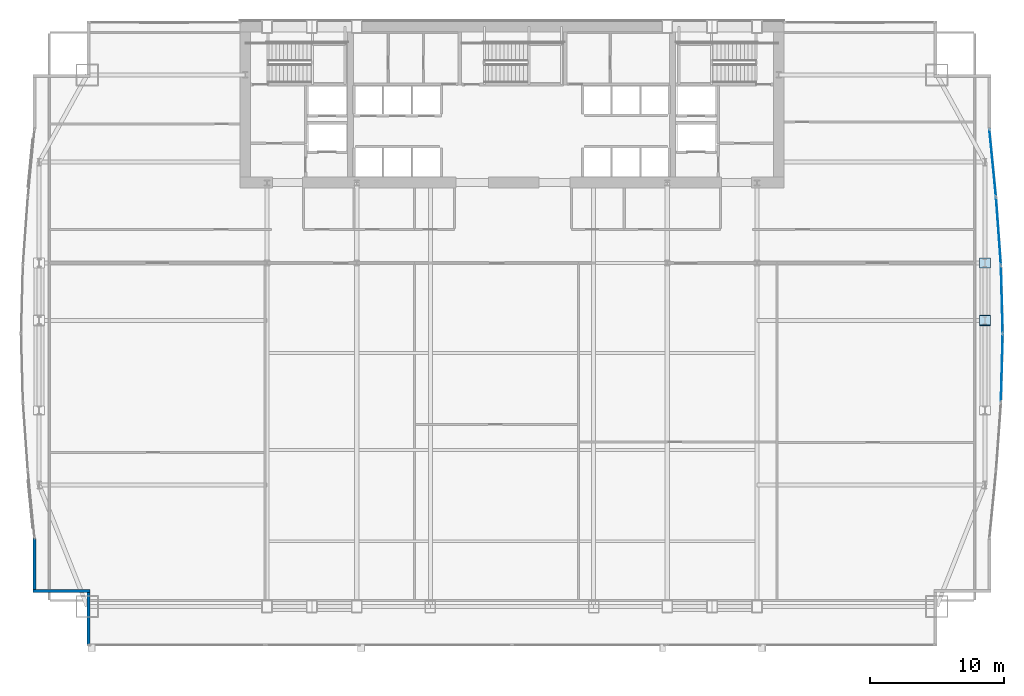
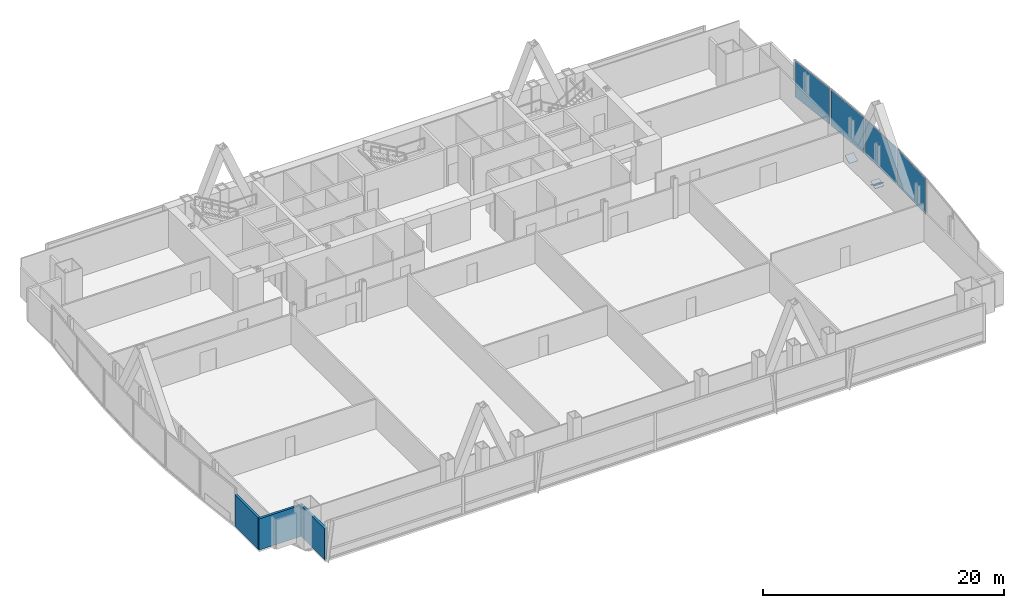
# One storey, part 26 of 33: 7 plates, 3 walls, 4 elements without a shape of their own.
"""IFC4 building model written with IfcOpenShell, lengths in metres."""

from ifc_helpers import new_model, si_unit, direction, frame, frame_2d, origin, origin_2d, place, context, subcontext, project, spatial, polyline, rectangle, outline, extrude, material, layer, layer_set, type_object, element, aggregate, save


model = new_model("IFC4")

# Units and contexts
model_context = context("Model", 3, precision=1e-05, world=origin(), true_north=direction((0.0, 1.0)))
body_context = subcontext(model_context, "Body", "Model", "MODEL_VIEW")
ifc_project = project(units=[si_unit("LENGTHUNIT", "METRE"), si_unit("AREAUNIT", "SQUARE_METRE"), si_unit("VOLUMEUNIT", "CUBIC_METRE"), si_unit("PLANEANGLEUNIT", "RADIAN"), si_unit("MASSUNIT", "GRAM", prefix="KILO")], contexts=[model_context])

# Site, building, storey
site_placement = place(None, origin())
site = spatial("IfcSite", under=ifc_project, at=site_placement, CompositionType="ELEMENT")
building_placement = place(site_placement, origin())
building = spatial("IfcBuilding", under=site, at=building_placement, Name="Khoronbel Lancet Exchange", CompositionType="ELEMENT")
storey_placement = place(building_placement, frame((0.0, 0.0, 73.800048828125)))
storey = spatial("IfcBuildingStorey", under=building, at=storey_placement, Name="L17", CompositionType="ELEMENT", Elevation=73.800048828125)

# Curtain wall, plate
ifc_material_1 = material(Name="Low-E Solar Control Insulating Glass", Category="glass")
curtain_wall_type = type_object("IfcCurtainWallType", Name="CW-4", PredefinedType="NOTDEFINED", material=ifc_material_1)
curtain_wall_1_placement = place(storey_placement, origin())
curtain_wall_1 = element("IfcCurtainWall", 1, at=curtain_wall_1_placement, inside=storey, type_object=curtain_wall_type, Name="Unitised curtain wall CW-L17-E18", PredefinedType="NOTDEFINED")
ifc_material_2 = material(Name="Bronze-Anodised Aluminium 6063-T6", Category="aluminium")
ifc_layer_1 = layer(ifc_material_2, 0.050048828125, Name="Bronze-Anodised Aluminium 6063-T6")
ifc_layer_set_1 = layer_set([ifc_layer_1], Name="Bronze-Anodised Aluminium 6063-T6")
plate_type_1 = type_object("IfcPlateType", Name="PLT-CSP1", PredefinedType="SHEET", material=ifc_layer_set_1)
plate_1_placement = place(storey_placement, frame((72.643310546875, 38.069091796875, 0.0849609375), z_axis=(0.0, 0.0, 1.0), x_axis=(0.071819098708, -0.997417674327, 0.0)))
plate_1 = element("IfcPlate", 2, at=plate_1_placement, type_object=plate_type_1, Name="CW4 panel 1.1", PredefinedType="CURTAIN_PANEL", context=body_context, shape_type="SweptSolid", body=[
    extrude(rectangle(XDim=4.943359375, YDim=0.0380859375, at=origin_2d()), origin(), (0.0, 0.0, 1.0), 3.64990234375),
])
aggregate(curtain_wall_1, [plate_1])

curtain_wall_2_placement = place(storey_placement, origin())
curtain_wall_2 = element("IfcCurtainWall", 3, at=curtain_wall_2_placement, inside=storey, type_object=curtain_wall_type, Name="Unitised curtain wall CW-L17-E19", PredefinedType="NOTDEFINED")
plate_2_placement = place(storey_placement, frame((72.89306640625, 32.989501953125, 0.0849609375), z_axis=(0.0, 0.0, 1.0), x_axis=(0.026354818961, -0.999652651433, 0.0)))
plate_2 = element("IfcPlate", 4, at=plate_2_placement, type_object=plate_type_1, Name="CW4 panel 1.1", PredefinedType="CURTAIN_PANEL", context=body_context, shape_type="SweptSolid", body=[
    extrude(rectangle(XDim=4.9306640625, YDim=0.0380859375, at=origin_2d()), origin(), (0.0, 0.0, 1.0), 3.64990234375),
])
aggregate(curtain_wall_2, [plate_2])

curtain_wall_3_placement = place(storey_placement, origin())
curtain_wall_3 = element("IfcCurtainWall", 5, at=curtain_wall_3_placement, inside=storey, type_object=curtain_wall_type, Name="Unitised curtain wall CW-L17-E20", PredefinedType="NOTDEFINED")
plate_3_placement = place(storey_placement, frame((72.89306640625, 27.91064453125, 0.0849609375), z_axis=(0.0, 0.0, 1.0), x_axis=(-0.026354818961, -0.999652651433, 0.0)))
plate_3 = element("IfcPlate", 6, at=plate_3_placement, type_object=plate_type_1, Name="CW4 panel 1.1", PredefinedType="CURTAIN_PANEL", context=body_context, shape_type="SweptSolid", body=[
    extrude(rectangle(XDim=4.9306640625, YDim=0.0380859375, at=origin_2d()), origin(), (0.0, 0.0, 1.0), 3.64990234375),
])
aggregate(curtain_wall_3, [plate_3])

curtain_wall_4_placement = place(storey_placement, origin())
curtain_wall_4 = element("IfcCurtainWall", 7, at=curtain_wall_4_placement, inside=storey, type_object=curtain_wall_type, Name="Unitised curtain wall CW-L17-E17", PredefinedType="NOTDEFINED")
ifc_material_3 = material(Name="Ceramic-Fritted Laminated Insulating Glass", Category="glass")
ifc_layer_2 = layer(ifc_material_3, 0.0419921875, Name="Ceramic-Fritted Laminated Insulating Glass")
ifc_layer_set_2 = layer_set([ifc_layer_2], Name="Ceramic-Fritted Laminated Insulating Glass")
plate_type_2 = type_object("IfcPlateType", Name="PLT-CWP2", PredefinedType="CURTAIN_PANEL", material=ifc_layer_set_2)
plate_4_placement = place(storey_placement, frame((72.210205078125, 43.15234375, 0.0849609375), z_axis=(0.0, 0.0, 1.0), x_axis=(0.09788604621, -0.995197629598, 0.0)))
plate_4 = element("IfcPlate", 8, at=plate_4_placement, type_object=plate_type_2, Name="CW4 panel 1.1", PredefinedType="CURTAIN_PANEL", context=body_context, shape_type="SweptSolid", body=[
    extrude(rectangle(XDim=4.9609375, YDim=0.0380859375, at=origin_2d()), origin(), (0.0, 0.0, 1.0), 3.64990234375),
])
aggregate(curtain_wall_4, [plate_4])

# Plates
ifc_material_4 = material(Name="Steel S460", Category="steel")
ifc_layer_3 = layer(ifc_material_4, 0.044921875, Name="Steel S460")
ifc_layer_set_3 = layer_set([ifc_layer_3], Name="Steel S460")
plate_type_3 = type_object("IfcPlateType", Name="PLT-ECP1", PredefinedType="USERDEFINED", material=ifc_layer_set_3)
plate_5_placement = place(storey_placement, frame((72.050048828125, 31.80810546875, -0.17529296875), z_axis=(0.0, 0.485963708226, 0.873978989614), x_axis=(-1.0, 0.0, 0.0)))
element("IfcPlate", 9, at=plate_5_placement, inside=storey, type_object=plate_type_3, Name="Hollow end cap plate PLT-CAP-MEM-MB-T04-E-P-L-1", ObjectType="STIFFENER_PLATE", PredefinedType="USERDEFINED", context=body_context, shape_type="SweptSolid", body=[
    extrude(outline(polyline([(0.0, 0.0), (0.840087890625, 0.0), (0.840087890625, 0.840087890625), (0.0, 0.840087890625), (0.0, 0.0)])), origin(), (0.0, 0.0, -1.0), 0.044921875),
])
for number, where, z_axis, x_axis, name in (
    (10, (71.2099609375, 31.018310546875, -0.10986328125), (0.0, -0.335433979759, 0.942063716116), (1.0, 0.0, 0.0), "Hollow end cap plate PLT-CAP-MEM-MB-T04-E-P-R-1"),
    (11, (71.2099609375, 35.323974609375, -0.1875), (0.0, -0.471463024334, 0.881885829734), (1.0, 0.0, 0.0), "Hollow end cap plate PLT-CAP-MEM-MB-T05-E-P-R-0"),
):
    element("IfcPlate", number, at=place(storey_placement, frame(where, z_axis=z_axis, x_axis=x_axis)), inside=storey, type_object=plate_type_3, Name=name, ObjectType="STIFFENER_PLATE", PredefinedType="USERDEFINED", context=body_context, shape_type="SweptSolid", body=[
        extrude(outline(polyline([(0.0, 0.0), (0.840087890625, 0.0), (0.840087890625, 0.83984375), (0.0, 0.83984375), (0.0, 0.0)])), origin(), (0.0, 0.0, -1.0), 0.044921875),
    ])

# Walls
ifc_material_5 = material(Name="Precast concrete C40/50", Category="concrete")
ifc_layer_4 = layer(ifc_material_5, 0.25, Name="Precast concrete C40/50")
ifc_layer_set_4 = layer_set([ifc_layer_4], Name="Precast concrete C40/50")
wall_type = type_object("IfcWallType", Name="WL-EXT250", PredefinedType="SOLIDWALL", material=ifc_layer_set_4)
wall_1_placement = place(storey_placement, frame((4.93994140625, 7.27001953125, 0.0), z_axis=(0.0, 0.0, 1.0), x_axis=(0.0, 1.0, 0.0)))
element("IfcWall", 12, at=wall_1_placement, inside=storey, type_object=wall_type, Name="Level L17 notched-corner limestone pier 01", PredefinedType="SOLIDWALL", context=body_context, shape_type="SweptSolid", body=[
    extrude(rectangle(XDim=3.909912109375, YDim=0.219970703125, at=frame_2d((1.955078125, 0.0))), origin(), (0.0, 0.0, 1.0), 3.159912109375),
])
wall_2_placement = place(storey_placement, frame((5.050048828125, 11.2900390625, 0.0), z_axis=(0.0, 0.0, 1.0), x_axis=(-1.0, 0.0, 0.0)))
element("IfcWall", 13, at=wall_2_placement, inside=storey, type_object=wall_type, Name="Level L17 notched-corner limestone pier 02", PredefinedType="SOLIDWALL", context=body_context, shape_type="SweptSolid", body=[
    extrude(rectangle(XDim=4.219970703125, YDim=0.219970703125, at=frame_2d((2.10986328125, 0.0))), origin(), (0.0, 0.0, 1.0), 3.159912109375),
])
wall_3_placement = place(storey_placement, frame((0.93994140625, 11.39990234375, 0.0), z_axis=(0.0, 0.0, 1.0), x_axis=(0.0, 1.0, 0.0)))
element("IfcWall", 14, at=wall_3_placement, inside=storey, type_object=wall_type, Name="Level L17 notched-corner limestone pier 03", PredefinedType="SOLIDWALL", context=body_context, shape_type="SweptSolid", body=[
    extrude(rectangle(XDim=3.824462890625, YDim=0.219970703125, at=frame_2d((1.912109375, 0.0))), origin(), (0.0, 0.0, 1.0), 3.159912109375),
])

save(model, "model.ifc")
